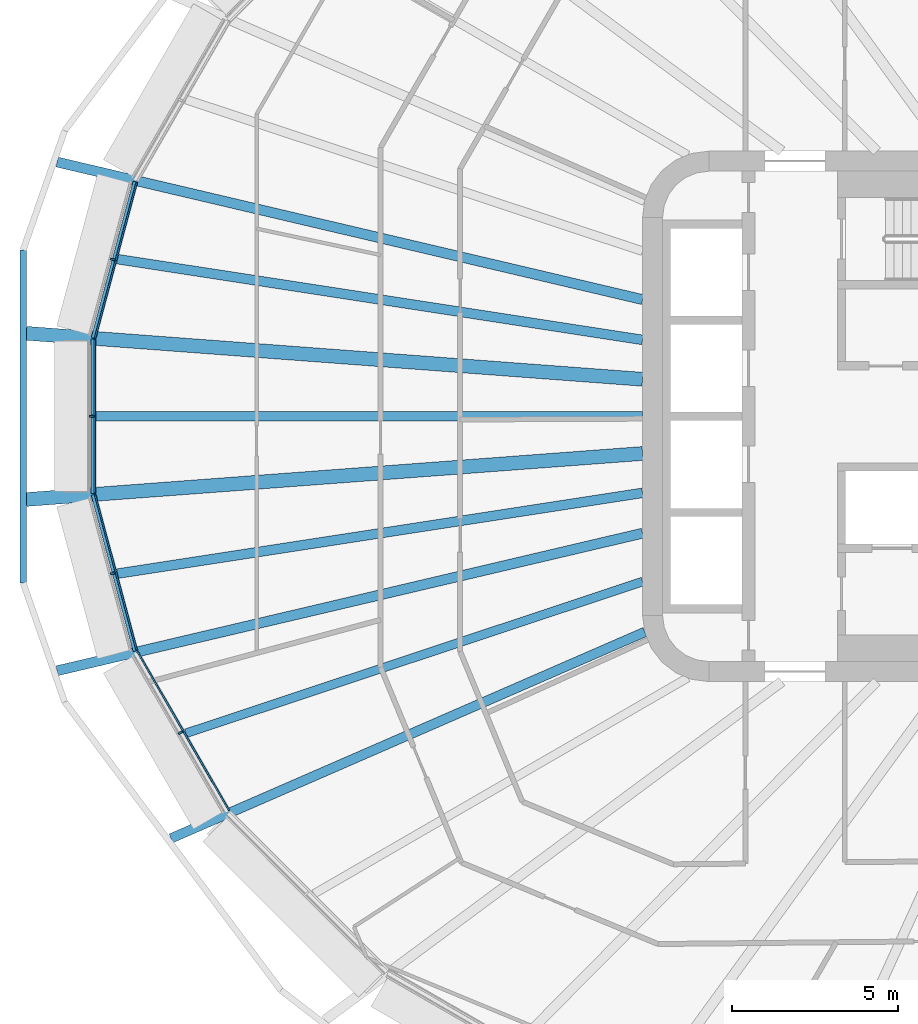
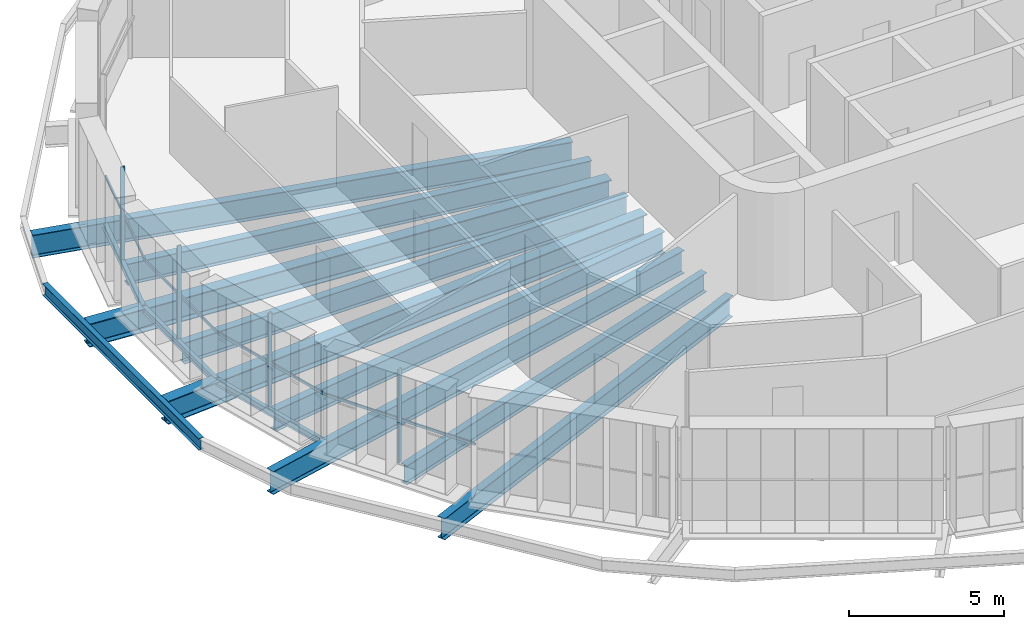
# One storey, part 3 of 26: 13 beams, 8 members, 4 elements without a shape of their own.
"""IFC4 building model written with IfcOpenShell, lengths in metres."""

from ifc_helpers import new_model, si_unit, direction, frame, origin, origin_2d, place, context, subcontext, project, spatial, rectangle, i_section, extrude, material, layer, layer_set, material_profile, profile_set, type_object, element, aggregate, save


model = new_model("IFC4")

# Units and contexts
model_context = context("Model", 3, precision=1e-05, world=origin(), true_north=direction((0.0, 1.0)))
body_context = subcontext(model_context, "Body", "Model", "MODEL_VIEW")
ifc_project = project(units=[si_unit("LENGTHUNIT", "METRE"), si_unit("AREAUNIT", "SQUARE_METRE"), si_unit("VOLUMEUNIT", "CUBIC_METRE"), si_unit("PLANEANGLEUNIT", "RADIAN"), si_unit("MASSUNIT", "GRAM", prefix="KILO")], contexts=[model_context])

# Site, building, storey
site_placement = place(None, origin())
site = spatial("IfcSite", under=ifc_project, at=site_placement, CompositionType="ELEMENT")
building_placement = place(site_placement, origin())
building = spatial("IfcBuilding", under=site, at=building_placement, Name="Sahrelin Media Tower", CompositionType="ELEMENT")
storey_placement = place(building_placement, frame((0.0, 0.0, 92.39990234375)))
storey = spatial("IfcBuildingStorey", under=building, at=storey_placement, Name="L17", CompositionType="ELEMENT", Elevation=92.39990234375)

# Beams
ifc_material_1 = material(Name="Steel S355", Category="steel")
ifc_material_profile_1 = material_profile(ifc_material_1, i_section(OverallWidth=0.14599609375, OverallDepth=0.25146484375, WebThickness=0.006103515625, FlangeThickness=0.008544921875, FilletRadius=0.007568359375, at=origin_2d()), Name="UB 254x146x31")
ifc_profile_set_1 = profile_set([ifc_material_profile_1], Name="Steel S355")
beam_type_1 = type_object("IfcBeamType", Name="Edge beam EB1", PredefinedType="BEAM", material=ifc_profile_set_1)
beam_1_placement = place(storey_placement, frame((-30.2939453125, -7.07666015625, -0.275634765625), z_axis=(-0.258845236834, 0.965918807855, 0.0), x_axis=(-0.965918807855, -0.258845236834, 0.0)))
element("IfcBeam", 1, at=beam_1_placement, inside=storey, type_object=beam_type_1, Name="Edge beam L17-12", PredefinedType="BEAM", context=body_context, shape_type="SweptSolid", body=[
    extrude(i_section(OverallWidth=0.14599609375, OverallDepth=0.25146484375, WebThickness=0.006103515625, FlangeThickness=0.008544921875, FilletRadius=0.007568359375, at=origin_2d()), origin(), (0.0, 0.0, 1.0), 4.882080078125),
])
beam_2_placement = place(storey_placement, frame((-31.561279296875, -2.33251953125, -0.275634765625), z_axis=(0.0, 1.0, 0.0), x_axis=(-1.0, 0.0, 0.0)))
element("IfcBeam", 2, at=beam_2_placement, inside=storey, type_object=beam_type_1, Name="Edge beam L17-13", PredefinedType="BEAM", context=body_context, shape_type="SweptSolid", body=[
    extrude(i_section(OverallWidth=0.14599609375, OverallDepth=0.25146484375, WebThickness=0.006103515625, FlangeThickness=0.008544921875, FilletRadius=0.007568359375, at=origin_2d()), origin(), (0.0, 0.0, 1.0), 4.6650390625),
])
beam_3_placement = place(storey_placement, frame((-31.5576171875, 2.361083984375, -0.275634765625), z_axis=(0.258845236834, 0.965918807855, 0.0), x_axis=(-0.965918807855, 0.258845236834, 0.0)))
element("IfcBeam", 3, at=beam_3_placement, inside=storey, type_object=beam_type_1, Name="Edge beam L17-14", PredefinedType="BEAM", context=body_context, shape_type="SweptSolid", body=[
    extrude(i_section(OverallWidth=0.14599609375, OverallDepth=0.25146484375, WebThickness=0.006103515625, FlangeThickness=0.008544921875, FilletRadius=0.007568359375, at=origin_2d()), origin(), (0.0, 0.0, 1.0), 4.882080078125),
])

# Curtain wall, member
ifc_material_2 = material(Name="Champagne anodised aluminium 6063-T6", Category="aluminium")
ifc_layer = layer(ifc_material_2, 0.14990234375)
ifc_layer_set = layer_set([ifc_layer], Name="Tower ribbon curtain wall")
curtain_wall_type = type_object("IfcCurtainWallType", Name="Tower ribbon curtain wall", PredefinedType="NOTDEFINED", material=ifc_layer_set)
curtain_wall_1_placement = place(storey_placement, frame((-31.07080078125, 4.757568359375, 0.0), z_axis=(0.0, 0.0, 1.0), x_axis=(1.0, 0.0, 0.0)))
curtain_wall_1 = element("IfcCurtainWall", 4, at=curtain_wall_1_placement, inside=storey, type_object=curtain_wall_type, Name="L17:CW:L17-11", PredefinedType="NOTDEFINED")
ifc_material_profile_2 = material_profile(ifc_material_2, rectangle(XDim=0.06005859375, YDim=0.14990234375, at=origin_2d()), Name="Mullion 60x150")
ifc_profile_set_2 = profile_set([ifc_material_profile_2], Name="Champagne anodised aluminium 6063-T6")
member_type_1 = type_object("IfcMemberType", Name="Mullion 60x150 CW1", PredefinedType="MULLION", material=ifc_profile_set_2)
member_1_placement = place(storey_placement, frame((-30.97900390625, 4.733154296875, 0.0), z_axis=(0.0, 0.0, 1.0), x_axis=(-0.258817359244, -0.965926278012, 0.0)))
member_1 = element("IfcMember", 5, at=member_1_placement, type_object=member_type_1, Name="L17:CWM:L17-11", PredefinedType="MULLION", context=body_context, shape_type="SweptSolid", body=[
    extrude(rectangle(XDim=0.06005859375, YDim=0.14990234375, at=origin_2d()), origin(), (0.0, 0.0, 1.0), 3.648681640625),
])

curtain_wall_2_placement = place(storey_placement, frame((-31.711181640625, 0.0, 0.0), z_axis=(0.0, 0.0, 1.0), x_axis=(1.0, 0.0, 0.0)))
curtain_wall_2 = element("IfcCurtainWall", 6, at=curtain_wall_2_placement, inside=storey, type_object=curtain_wall_type, Name="L17:CW:L17-12", PredefinedType="NOTDEFINED")
member_2_placement = place(storey_placement, frame((-31.6162109375, 0.0, 0.0), z_axis=(0.0, 0.0, 1.0), x_axis=(0.0, -1.0, 0.0)))
member_2 = element("IfcMember", 7, at=member_2_placement, type_object=member_type_1, Name="L17:CWM:L17-12", PredefinedType="MULLION", context=body_context, shape_type="SweptSolid", body=[
    extrude(rectangle(XDim=0.06005859375, YDim=0.14990234375, at=origin_2d()), origin(), (0.0, 0.0, 1.0), 3.648681640625),
])

curtain_wall_3_placement = place(storey_placement, frame((-31.07080078125, -4.757568359375, 0.0), z_axis=(0.0, 0.0, 1.0), x_axis=(1.0, 0.0, 0.0)))
curtain_wall_3 = element("IfcCurtainWall", 8, at=curtain_wall_3_placement, inside=storey, type_object=curtain_wall_type, Name="L17:CW:L17-13", PredefinedType="NOTDEFINED")
member_3_placement = place(storey_placement, frame((-30.97900390625, -4.733154296875, 0.0), z_axis=(0.0, 0.0, 1.0), x_axis=(0.258817359244, -0.965926278012, 0.0)))
member_3 = element("IfcMember", 9, at=member_3_placement, type_object=member_type_1, Name="L17:CWM:L17-13", PredefinedType="MULLION", context=body_context, shape_type="SweptSolid", body=[
    extrude(rectangle(XDim=0.06005859375, YDim=0.14990234375, at=origin_2d()), origin(), (0.0, 0.0, 1.0), 3.648681640625),
])

curtain_wall_4_placement = place(storey_placement, frame((-29.021484375, -9.58837890625, 0.0), z_axis=(0.0, 0.0, 1.0), x_axis=(1.0, 0.0, 0.0)))
curtain_wall_4 = element("IfcCurtainWall", 10, at=curtain_wall_4_placement, inside=storey, type_object=curtain_wall_type, Name="L17:CW:L17-14", PredefinedType="NOTDEFINED")
member_4_placement = place(storey_placement, frame((-28.939208984375, -9.540771484375, 0.0), z_axis=(0.0, 0.0, 1.0), x_axis=(0.499990930976, -0.866030639725, 0.0)))
member_4 = element("IfcMember", 11, at=member_4_placement, type_object=member_type_1, Name="L17:CWM:L17-14", PredefinedType="MULLION", context=body_context, shape_type="SweptSolid", body=[
    extrude(rectangle(XDim=0.06005859375, YDim=0.14990234375, at=origin_2d()), origin(), (0.0, 0.0, 1.0), 3.648681640625),
])

# Beams
ifc_material_profile_3 = material_profile(ifc_material_1, i_section(OverallWidth=0.291748046875, OverallDepth=0.8349609375, WebThickness=0.013916015625, FlangeThickness=0.018798828125, FilletRadius=0.017822265625, at=origin_2d()), Name="UB 838x292x176")
ifc_profile_set_3 = profile_set([ifc_material_profile_3], Name="Steel S355")
beam_type_2 = type_object("IfcBeamType", Name="Radial primary beam PB10", PredefinedType="BEAM", material=ifc_profile_set_3)
beam_4_placement = place(storey_placement, frame((-14.93359375, -6.5048828125, -0.5673828125), z_axis=(-0.916801692718, -0.399342780366, 0.0), x_axis=(0.399342780366, -0.916801692718, 0.0)))
element("IfcBeam", 12, at=beam_4_placement, inside=storey, type_object=beam_type_2, Name="Radial beam L17-15", PredefinedType="BEAM", context=body_context, shape_type="SweptSolid", body=[
    extrude(i_section(OverallWidth=0.291748046875, OverallDepth=0.8349609375, WebThickness=0.013916015625, FlangeThickness=0.018798828125, FilletRadius=0.017822265625, at=origin_2d()), origin(), (0.0, 0.0, 1.0), 15.5888671875),
])
ifc_material_profile_4 = material_profile(ifc_material_1, i_section(OverallWidth=0.30322265625, OverallDepth=0.903076171875, WebThickness=0.01513671875, FlangeThickness=0.020263671875, FilletRadius=0.01904296875, at=origin_2d()), Name="UB 914x305x201")
ifc_profile_set_4 = profile_set([ifc_material_profile_4], Name="Steel S355")
beam_type_3 = type_object("IfcBeamType", Name="Radial primary beam PB11", PredefinedType="BEAM", material=ifc_profile_set_4)
for number, where, z_axis, x_axis, name in (
    (13, (-15.0, 3.523681640625, -0.601318359375), (-0.973496009556, 0.22870399948, 0.0), (-0.22870399948, -0.973496009556, 0.0), "Radial beam L17-11"),
    (14, (-15.0, -3.523681640625, -0.601318359375), (-0.973496009556, -0.22870399948, 0.0), (0.22870399948, -0.973496009556, 0.0), "Radial beam L17-14"),
):
    element("IfcBeam", number, at=place(storey_placement, frame(where, z_axis=z_axis, x_axis=x_axis)), inside=storey, type_object=beam_type_3, Name=name, PredefinedType="BEAM", context=body_context, shape_type="SweptSolid", body=[
        extrude(i_section(OverallWidth=0.30322265625, OverallDepth=0.903076171875, WebThickness=0.01513671875, FlangeThickness=0.020263671875, FilletRadius=0.01904296875, at=origin_2d()), origin(), (0.0, 0.0, 1.0), 18.139892578125),
    ])
ifc_material_profile_5 = material_profile(ifc_material_1, i_section(OverallWidth=0.41845703125, OverallDepth=0.911865234375, WebThickness=0.019287109375, FlangeThickness=0.031982421875, FilletRadius=0.024169921875, at=origin_2d()), Name="UB 914x419x343")
ifc_profile_set_5 = profile_set([ifc_material_profile_5], Name="Steel S355")
beam_type_4 = type_object("IfcBeamType", Name="Radial primary beam PB12", PredefinedType="BEAM", material=ifc_profile_set_5)
for number, where, z_axis, x_axis, name in (
    (15, (-15.0, 1.119384765625, -0.605712890625), (-0.997226716944, 0.074423618647, 0.0), (-0.074423618647, -0.997226716944, 0.0), "Radial beam L17-12"),
    (16, (-15.0, -1.119384765625, -0.605712890625), (-0.997226716944, -0.074423618647, 0.0), (0.074423618647, -0.997226716944, 0.0), "Radial beam L17-13"),
):
    element("IfcBeam", number, at=place(storey_placement, frame(where, z_axis=z_axis, x_axis=x_axis)), inside=storey, type_object=beam_type_4, Name=name, PredefinedType="BEAM", context=body_context, shape_type="SweptSolid", body=[
        extrude(i_section(OverallWidth=0.41845703125, OverallDepth=0.911865234375, WebThickness=0.019287109375, FlangeThickness=0.031982421875, FilletRadius=0.024169921875, at=origin_2d()), origin(), (0.0, 0.0, 1.0), 18.639404296875),
    ])
ifc_material_profile_6 = material_profile(ifc_material_1, i_section(OverallWidth=0.291748046875, OverallDepth=0.8349609375, WebThickness=0.013916015625, FlangeThickness=0.018798828125, FilletRadius=0.017822265625, at=origin_2d()), Name="UB 838x292x176")
ifc_profile_set_6 = profile_set([ifc_material_profile_6], Name="Steel S355")
beam_type_5 = type_object("IfcBeamType", Name="Radial secondary beam SB10", PredefinedType="BEAM", material=ifc_profile_set_6)
beam_5_placement = place(storey_placement, frame((-15.0, 2.30712890625, -0.5673828125), z_axis=(-0.988375923041, 0.152029716678, 0.0), x_axis=(-0.152029716678, -0.988375923041, 0.0)))
element("IfcBeam", 17, at=beam_5_placement, inside=storey, type_object=beam_type_5, Name="Secondary beam L17-11", PredefinedType="BEAM", context=body_context, shape_type="SweptSolid", body=[
    extrude(i_section(OverallWidth=0.291748046875, OverallDepth=0.8349609375, WebThickness=0.013916015625, FlangeThickness=0.018798828125, FilletRadius=0.017822265625, at=origin_2d()), origin(), (0.0, 0.0, 1.0), 16.02978515625),
])
beam_6_placement = place(storey_placement, frame((-15.0, 0.0, -0.5673828125), z_axis=(-1.0, 0.0, 0.0), x_axis=(0.0, -1.0, 0.0)))
element("IfcBeam", 18, at=beam_6_placement, inside=storey, type_object=beam_type_5, Name="Secondary beam L17-12", PredefinedType="BEAM", context=body_context, shape_type="SweptSolid", body=[
    extrude(i_section(OverallWidth=0.291748046875, OverallDepth=0.8349609375, WebThickness=0.013916015625, FlangeThickness=0.018798828125, FilletRadius=0.017822265625, at=origin_2d()), origin(), (0.0, 0.0, 1.0), 16.48828125),
])
beam_7_placement = place(storey_placement, frame((-15.0, -2.30712890625, -0.5673828125), z_axis=(-0.988375923041, -0.152029716678, 0.0), x_axis=(0.152029716678, -0.988375923041, 0.0)))
element("IfcBeam", 19, at=beam_7_placement, inside=storey, type_object=beam_type_5, Name="Secondary beam L17-13", PredefinedType="BEAM", context=body_context, shape_type="SweptSolid", body=[
    extrude(i_section(OverallWidth=0.291748046875, OverallDepth=0.8349609375, WebThickness=0.013916015625, FlangeThickness=0.018798828125, FilletRadius=0.017822265625, at=origin_2d()), origin(), (0.0, 0.0, 1.0), 16.02978515625),
])
ifc_material_profile_7 = material_profile(ifc_material_1, i_section(OverallWidth=0.26513671875, OverallDepth=0.75390625, WebThickness=0.0126953125, FlangeThickness=0.017578125, FilletRadius=0.0166015625, at=origin_2d()), Name="UB 762x267x147")
ifc_profile_set_7 = profile_set([ifc_material_profile_7], Name="Steel S355")
beam_type_6 = type_object("IfcBeamType", Name="Radial secondary beam SB9", PredefinedType="BEAM", material=ifc_profile_set_7)
beam_8_placement = place(storey_placement, frame((-15.0, -4.983642578125, -0.52685546875), z_axis=(-0.948994110949, -0.315293795346, 0.0), x_axis=(0.315293795346, -0.948994110949, 0.0)))
element("IfcBeam", 20, at=beam_8_placement, inside=storey, type_object=beam_type_6, Name="Secondary beam L17-14", PredefinedType="BEAM", context=body_context, shape_type="SweptSolid", body=[
    extrude(i_section(OverallWidth=0.26513671875, OverallDepth=0.75390625, WebThickness=0.0126953125, FlangeThickness=0.017578125, FilletRadius=0.0166015625, at=origin_2d()), origin(), (0.0, 0.0, 1.0), 14.510009765625),
])
ifc_material_profile_8 = material_profile(ifc_material_1, i_section(OverallWidth=0.1904296875, OverallDepth=0.45703125, WebThickness=0.009033203125, FlangeThickness=0.014404296875, FilletRadius=0.01025390625, at=origin_2d()), Name="UB 457x191x74")
ifc_profile_set_8 = profile_set([ifc_material_profile_8], Name="Steel S355")
beam_type_7 = type_object("IfcBeamType", Name="Tie chord TC5", PredefinedType="BEAM", material=ifc_profile_set_8)
beam_9_placement = place(storey_placement, frame((-33.682861328125, 5.021484375, -0.37841796875), z_axis=(0.0, -1.0, 0.0), x_axis=(1.0, 0.0, 0.0)))
element("IfcBeam", 21, at=beam_9_placement, inside=storey, type_object=beam_type_7, Name="Tie chord L17-12", PredefinedType="BEAM", context=body_context, shape_type="SweptSolid", body=[
    extrude(i_section(OverallWidth=0.1904296875, OverallDepth=0.45703125, WebThickness=0.009033203125, FlangeThickness=0.014404296875, FilletRadius=0.01025390625, at=origin_2d()), origin(), (0.0, 0.0, 1.0), 10.04296875),
])

# Member
ifc_material_profile_9 = material_profile(ifc_material_2, rectangle(XDim=0.050048828125, YDim=0.10009765625, at=origin_2d()), Name="Transom 50x100")
ifc_profile_set_9 = profile_set([ifc_material_profile_9], Name="Champagne anodised aluminium 6063-T6")
member_type_2 = type_object("IfcMemberType", Name="Transom 50x100 CW1", PredefinedType="USERDEFINED", material=ifc_profile_set_9)
member_5_placement = place(storey_placement, frame((-30.254638671875, 7.0498046875, 1.60009765625), z_axis=(-0.258809044708, -0.965928505831, 0.0), x_axis=(0.965928505831, -0.258809044708, 0.0)))
member_5 = element("IfcMember", 22, at=member_5_placement, type_object=member_type_2, Name="L17:CWT:L17-11", ObjectType="TRANSOM", PredefinedType="USERDEFINED", context=body_context, shape_type="SweptSolid", body=[
    extrude(rectangle(XDim=0.050048828125, YDim=0.10009765625, at=origin_2d()), origin(), (0.0, 0.0, 1.0), 4.8505859375),
])

aggregate(curtain_wall_1, [member_1, member_5])

member_6_placement = place(storey_placement, frame((-31.516357421875, 2.316650390625, 1.60009765625), z_axis=(0.0, -1.0, 0.0), x_axis=(1.0, 0.0, 0.0)))
member_6 = element("IfcMember", 23, at=member_6_placement, type_object=member_type_2, Name="L17:CWT:L17-12", ObjectType="TRANSOM", PredefinedType="USERDEFINED", context=body_context, shape_type="SweptSolid", body=[
    extrude(rectangle(XDim=0.050048828125, YDim=0.10009765625, at=origin_2d()), origin(), (0.0, 0.0, 1.0), 4.63330078125),
])

aggregate(curtain_wall_2, [member_2, member_6])

member_7_placement = place(storey_placement, frame((-31.510009765625, -2.364501953125, 1.60009765625), z_axis=(0.258809044708, -0.965928505831, 0.0), x_axis=(0.965928505831, 0.258809044708, 0.0)))
member_7 = element("IfcMember", 24, at=member_7_placement, type_object=member_type_2, Name="L17:CWT:L17-13", ObjectType="TRANSOM", PredefinedType="USERDEFINED", context=body_context, shape_type="SweptSolid", body=[
    extrude(rectangle(XDim=0.050048828125, YDim=0.10009765625, at=origin_2d()), origin(), (0.0, 0.0, 1.0), 4.8505859375),
])

aggregate(curtain_wall_3, [member_3, member_7])

member_8_placement = place(storey_placement, frame((-30.236083984375, -7.094482421875, 1.60009765625), z_axis=(0.500001219746, -0.866024699562, 0.0), x_axis=(0.866024699562, 0.500001219746, 0.0)))
member_8 = element("IfcMember", 25, at=member_8_placement, type_object=member_type_2, Name="L17:CWT:L17-14", ObjectType="TRANSOM", PredefinedType="USERDEFINED", context=body_context, shape_type="SweptSolid", body=[
    extrude(rectangle(XDim=0.050048828125, YDim=0.10009765625, at=origin_2d()), origin(), (0.0, 0.0, 1.0), 5.5341796875),
])

aggregate(curtain_wall_4, [member_4, member_8])

save(model, "model.ifc")
